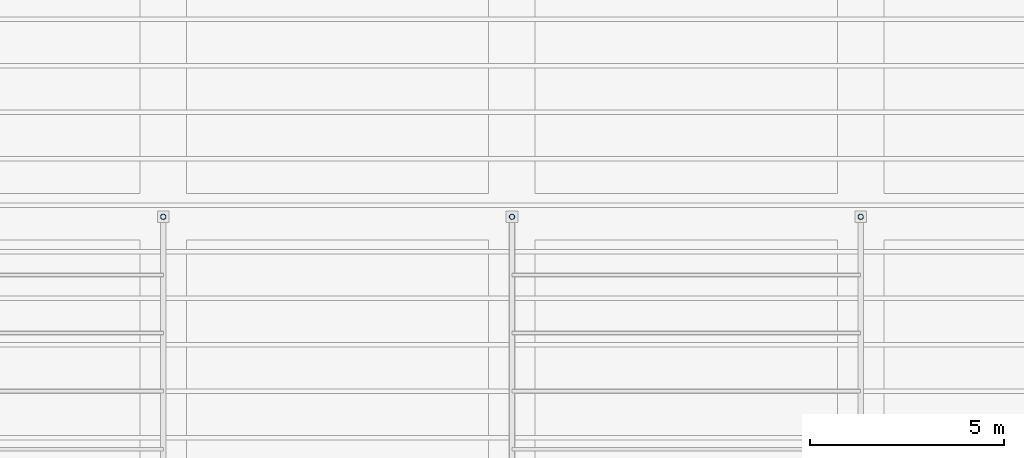
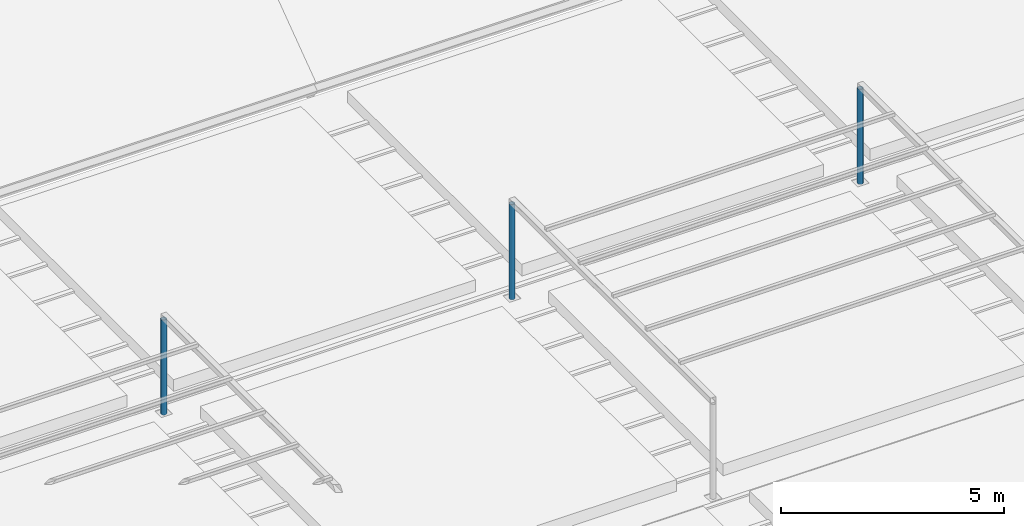
# One storey, part 5 of 153: 3 columns.
"""IFC4 building model written with IfcOpenShell, lengths in metres."""

from ifc_helpers import new_model, si_unit, direction, frame, origin, origin_2d, place, context, subcontext, project, spatial, hollow_circle, extrude, material, material_profile, profile_set, type_object, element, save


model = new_model("IFC4")

# Units and contexts
model_context = context("Model", 3, precision=1e-05, world=origin(), true_north=direction((0.0, 1.0)))
body_context = subcontext(model_context, "Body", "Model", "MODEL_VIEW")
ifc_project = project(units=[si_unit("LENGTHUNIT", "METRE"), si_unit("AREAUNIT", "SQUARE_METRE"), si_unit("VOLUMEUNIT", "CUBIC_METRE"), si_unit("PLANEANGLEUNIT", "RADIAN"), si_unit("MASSUNIT", "GRAM", prefix="KILO")], contexts=[model_context])

# Site, building, storey
site_placement = place(None, origin())
site = spatial("IfcSite", under=ifc_project, at=site_placement, CompositionType="ELEMENT")
building_placement = place(site_placement, origin())
building = spatial("IfcBuilding", under=site, at=building_placement, Name="Baradari Gate Terminus", CompositionType="ELEMENT")
storey_placement = place(building_placement, frame((0.0, 0.0, 11.699951171875)))
storey = spatial("IfcBuildingStorey", under=building, at=storey_placement, Name="L02", CompositionType="ELEMENT", Elevation=11.699951171875)

# Columns
ifc_material = material(Name="Steel S355", Category="steel")
ifc_material_profile = material_profile(ifc_material, hollow_circle(Radius=0.06982421875, WallThickness=0.008056640625, at=origin_2d()), Name="CHS 139.7x8")
ifc_profile_set = profile_set([ifc_material_profile], Name="Steel S355")
column_type = type_object("IfcColumnType", Name="Pergola post CHS 139.7x8", PredefinedType="COLUMN", material=ifc_profile_set)
for number, where, z_axis, x_axis, name in (
    (1, (108.0, 27.0, 0.0), (0.0, 0.0, 1.0), (1.0, 0.0, 0.0), "RF/L02/PGS1-PGC3"),
    (2, (126.0, 27.0, 0.0), (0.0, 0.0, 1.0), (1.0, 0.0, 0.0), "RF/L02/PGS2-PGC3"),
    (3, (117.0, 27.0, 0.0), (0.0, 0.0, 1.0), (1.0, 0.0, 0.0), "RF/L02/PGS2-PGC4"),
):
    element("IfcColumn", number, at=place(storey_placement, frame(where, z_axis=z_axis, x_axis=x_axis)), inside=storey, type_object=column_type, Name=name, PredefinedType="COLUMN", context=body_context, shape_type="SweptSolid", body=[
        extrude(hollow_circle(Radius=0.06982421875, WallThickness=0.008056640625, at=origin_2d()), origin(), (0.0, 0.0, 1.0), 2.60009765625),
    ])

save(model, "model.ifc")
